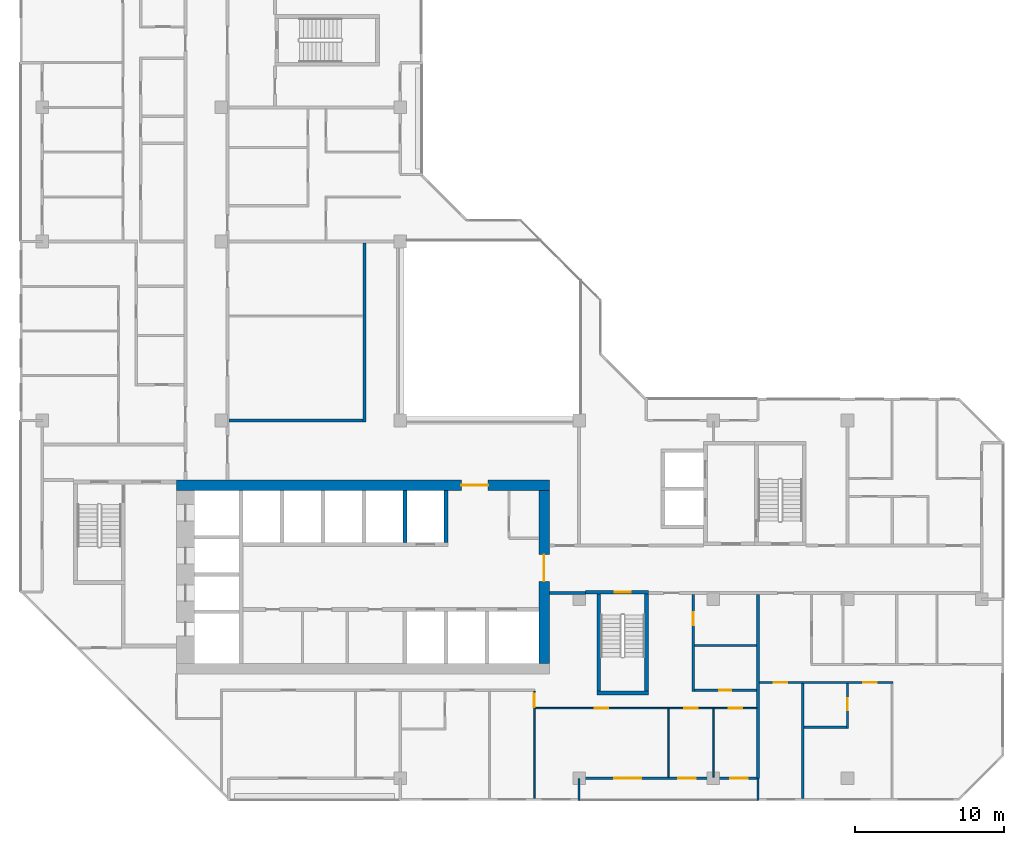
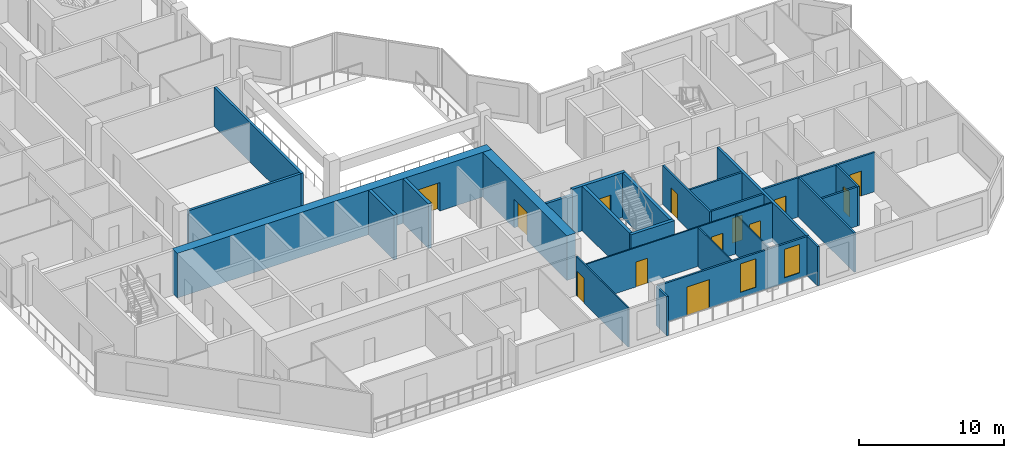
# One storey, part 6 of 15: 26 walls, 13 doors, 2 windows, 15 openings.
"""IFC4 building model written with IfcOpenShell, lengths in metres."""

from ifc_helpers import new_model, si_unit, direction, frame, frame_2d, origin, place, context, subcontext, project, spatial, rectangle, extrude, material, layer, layer_set, type_object, element, fill, save


model = new_model("IFC4")

# Units and contexts
model_context = context("Model", 3, precision=1e-05, world=origin(), true_north=direction((0.0, 1.0)))
body_context = subcontext(model_context, "Body", "Model", "MODEL_VIEW")
ifc_project = project(units=[si_unit("LENGTHUNIT", "METRE"), si_unit("AREAUNIT", "SQUARE_METRE"), si_unit("VOLUMEUNIT", "CUBIC_METRE"), si_unit("PLANEANGLEUNIT", "RADIAN"), si_unit("MASSUNIT", "GRAM", prefix="KILO")], contexts=[model_context])

# Site, building, storey
site_placement = place(None, origin())
site = spatial("IfcSite", under=ifc_project, at=site_placement, CompositionType="ELEMENT")
building_placement = place(site_placement, origin())
building = spatial("IfcBuilding", under=site, at=building_placement, Name="Chenar Terraces", CompositionType="ELEMENT")
storey_placement = place(building_placement, frame((0.0, 0.0, 252.89990234375)))
storey = spatial("IfcBuildingStorey", under=building, at=storey_placement, Name="L60", CompositionType="ELEMENT", Elevation=252.89990234375)

# Walls
ifc_material_1 = material(Name="Concrete C60/75", Category="concrete")
ifc_layer_1 = layer(ifc_material_1, 0.25)
ifc_layer_set_1 = layer_set([ifc_layer_1], Name="Concrete C60/75")
wall_type_1 = type_object("IfcWallType", Name="Core wall 250 Concrete C60/75", PredefinedType="SHEAR", material=ifc_layer_set_1)
for number, where, z_axis, x_axis, name in (
    (1, (24.324951171875, 15.800048828125, 0.0), (0.0, 0.0, 1.0), (0.0, 1.0, 0.0), "Core wall NS3 L60"),
    (2, (27.074951171875, 15.800048828125, 0.0), (0.0, 0.0, 1.0), (0.0, 1.0, 0.0), "Core wall NE L60"),
):
    element("IfcWall", number, at=place(storey_placement, frame(where, z_axis=z_axis, x_axis=x_axis)), inside=storey, type_object=wall_type_1, Name=name, PredefinedType="SHEAR", context=body_context, shape_type="SweptSolid", body=[
        extrude(rectangle(XDim=3.5, YDim=0.25, at=frame_2d((1.75, 0.0))), origin(), (0.0, 0.0, 1.0), 3.75),
    ])
wall_1_placement = place(storey_placement, frame((37.199951171875, 5.72509765625, 0.0), z_axis=(0.0, 0.0, 1.0), x_axis=(1.0, 0.0, 0.0)))
element("IfcWall", 3, at=wall_1_placement, inside=storey, type_object=wall_type_1, Name="Core wall ST2_S L60", PredefinedType="SHEAR", context=body_context, shape_type="SweptSolid", body=[
    extrude(rectangle(XDim=3.449951171875, YDim=0.25, at=frame_2d((1.72509765625, 0.0))), origin(), (0.0, 0.0, 1.0), 3.75),
])

# Wall, opening, door
wall_2_placement = place(storey_placement, frame((36.425048828125, 12.47509765625, 0.0), z_axis=(0.0, 0.0, 1.0), x_axis=(1.0, 0.0, 0.0)))
wall_2 = element("IfcWall", 4, at=wall_2_placement, inside=storey, type_object=wall_type_1, Name="Core wall ST2_N L60", PredefinedType="SHEAR", context=body_context, shape_type="SweptSolid", body=[
    extrude(rectangle(XDim=4.224853515625, YDim=0.25, at=frame_2d((2.1123046875, 0.0))), origin(), (0.0, 0.0, 1.0), 3.75),
])
opening_1_placement = place(wall_2_placement, frame((1.949951171875, 0.0, 0.0)))
opening_1 = element("IfcOpeningElement", 5, at=opening_1_placement, cuts=wall_2, Name="Opening DL60-C7", PredefinedType="OPENING", context=body_context, shape_type="SweptSolid", body=[
    extrude(rectangle(XDim=1.10009765625, YDim=2.199951171875, at=frame_2d((0.550048828125, 1.10009765625))), frame((0.0, 0.135009765625, 0.0), z_axis=(0.0, -1.0, 0.0), x_axis=(1.0, 0.0, 0.0)), (0.0, 0.0, 1.0), 0.27001953125),
])
ifc_material_2 = material(Name="Steel-framed fire-resisting door leaf", Category="steel")
door_type_1 = type_object("IfcDoorType", Name="Stair fire door FD60 1100 x 2200", OperationType="SINGLE_SWING_LEFT", PredefinedType="DOOR", material=ifc_material_2)
door_1_placement = place(opening_1_placement, frame((1.10009765625, 0.0, 0.0), z_axis=(0.0, 0.0, 1.0), x_axis=(-1.0, 0.0, 0.0)))
door_1 = element("IfcDoor", 6, at=door_1_placement, inside=storey, type_object=door_type_1, Name="Stair door DL60-C7", OperationType="SINGLE_SWING_LEFT", OverallHeight=2.199951171875, OverallWidth=1.10009765625, PredefinedType="DOOR", context=body_context, shape_type="SweptSolid", body=[
    extrude(rectangle(XDim=1.10009765625, YDim=2.199951171875, at=frame_2d((0.550048828125, 1.10009765625))), frame((0.0, 0.02490234375, 0.0), z_axis=(0.0, -1.0, 0.0), x_axis=(1.0, 0.0, 0.0)), (0.0, 0.0, 1.0), 0.050048828125),
])
fill(opening_1, door_1)

# Walls
for number, where, z_axis, x_axis, name in (
    (7, (37.324951171875, 5.85009765625, 0.0), (0.0, 0.0, 1.0), (0.0, 1.0, 0.0), "Core wall ST2_W L60"),
    (8, (40.52490234375, 5.85009765625, 0.0), (0.0, 0.0, 1.0), (0.0, 1.0, 0.0), "Core wall ST2_E L60"),
):
    element("IfcWall", number, at=place(storey_placement, frame(where, z_axis=z_axis, x_axis=x_axis)), inside=storey, type_object=wall_type_1, Name=name, PredefinedType="SHEAR", context=body_context, shape_type="SweptSolid", body=[
        extrude(rectangle(XDim=6.5, YDim=0.25, at=frame_2d((3.25, 0.0))), origin(), (0.0, 0.0, 1.0), 3.75),
    ])

# Wall, opening, door
ifc_material_3 = material(Name="Concrete C60/75", Category="concrete")
ifc_layer_2 = layer(ifc_material_3, 0.699951171875)
ifc_layer_set_2 = layer_set([ifc_layer_2], Name="Concrete C60/75")
wall_type_2 = type_object("IfcWallType", Name="Core wall 700 Concrete C60/75", PredefinedType="SHEAR", material=ifc_layer_set_2)
wall_3_placement = place(storey_placement, frame((9.0, 19.64990234375, 0.0), z_axis=(0.0, 0.0, 1.0), x_axis=(1.0, 0.0, 0.0)))
wall_3 = element("IfcWall", 9, at=wall_3_placement, inside=storey, type_object=wall_type_2, Name="Core wall N L60", PredefinedType="SHEAR", context=body_context, shape_type="SweptSolid", body=[
    extrude(rectangle(XDim=25.0, YDim=0.699951171875, at=frame_2d((12.5, 0.0))), origin(), (0.0, 0.0, 1.0), 3.75),
])
opening_2_placement = place(wall_3_placement, frame((19.10009765625, 0.0, 0.0)))
opening_2 = element("IfcOpeningElement", 10, at=opening_2_placement, cuts=wall_3, Name="Opening DL60-C2", PredefinedType="OPENING", context=body_context, shape_type="SweptSolid", body=[
    extrude(rectangle(XDim=1.800048828125, YDim=2.39990234375, at=frame_2d((0.89990234375, 1.199951171875))), frame((0.0, 0.35986328125, 0.0), z_axis=(0.0, -1.0, 0.0), x_axis=(1.0, 0.0, 0.0)), (0.0, 0.0, 1.0), 0.719970703125),
])
ifc_material_4 = material(Name="Steel-framed fire-resisting door leaf", Category="steel")
door_type_2 = type_object("IfcDoorType", Name="Core entrance double fire door FD60 1800 x 2400", OperationType="DOUBLE_DOOR_SINGLE_SWING", PredefinedType="DOOR", material=ifc_material_4)
door_2_placement = place(opening_2_placement, frame((1.800048828125, 0.0, 0.0), z_axis=(0.0, 0.0, 1.0), x_axis=(-1.0, 0.0, 0.0)))
door_2 = element("IfcDoor", 11, at=door_2_placement, inside=storey, type_object=door_type_2, Name="Core door DL60-C2", OperationType="DOUBLE_DOOR_SINGLE_SWING", OverallHeight=2.39990234375, OverallWidth=1.800048828125, PredefinedType="DOOR", context=body_context, shape_type="SweptSolid", body=[
    extrude(rectangle(XDim=1.800048828125, YDim=2.39990234375, at=frame_2d((0.89990234375, 1.199951171875))), frame((0.0, 0.02490234375, 0.0), z_axis=(0.0, -1.0, 0.0), x_axis=(1.0, 0.0, 0.0)), (0.0, 0.0, 1.0), 0.050048828125),
])
fill(opening_2, door_2)

wall_4_placement = place(storey_placement, frame((33.64990234375, 7.699951171875, 0.0), z_axis=(0.0, 0.0, 1.0), x_axis=(0.0, 1.0, 0.0)))
wall_4 = element("IfcWall", 12, at=wall_4_placement, inside=storey, type_object=wall_type_2, Name="Core wall E L60", PredefinedType="SHEAR", context=body_context, shape_type="SweptSolid", body=[
    extrude(rectangle(XDim=11.60009765625, YDim=0.699951171875, at=frame_2d((5.800048828125, 0.0))), origin(), (0.0, 0.0, 1.0), 3.75),
])
opening_3_placement = place(wall_4_placement, frame((5.5, 0.0, 0.0)))
opening_3 = element("IfcOpeningElement", 13, at=opening_3_placement, cuts=wall_4, Name="Opening DL60-C1", PredefinedType="OPENING", context=body_context, shape_type="SweptSolid", body=[
    extrude(rectangle(XDim=1.800048828125, YDim=2.39990234375, at=frame_2d((0.89990234375, 1.199951171875))), frame((0.0, 0.35986328125, 0.0), z_axis=(0.0, -1.0, 0.0), x_axis=(1.0, 0.0, 0.0)), (0.0, 0.0, 1.0), 0.719970703125),
])
door_3_placement = place(opening_3_placement, origin())
door_3 = element("IfcDoor", 14, at=door_3_placement, inside=storey, type_object=door_type_2, Name="Core door DL60-C1", OperationType="DOUBLE_DOOR_SINGLE_SWING", OverallHeight=2.39990234375, OverallWidth=1.800048828125, PredefinedType="DOOR", context=body_context, shape_type="SweptSolid", body=[
    extrude(rectangle(XDim=1.800048828125, YDim=2.39990234375, at=frame_2d((0.89990234375, 1.199951171875))), frame((0.0, 0.02490234375, 0.0), z_axis=(0.0, -1.0, 0.0), x_axis=(1.0, 0.0, 0.0)), (0.0, 0.0, 1.0), 0.050048828125),
])
fill(opening_3, door_3)

# Walls
ifc_material_5 = material(Name="Gypsum board on steel studs with fire boards", Category="steel")
ifc_layer_3 = layer(ifc_material_5, 0.199951171875)
ifc_layer_set_3 = layer_set([ifc_layer_3], Name="Gypsum board on steel studs with fire boards")
wall_type_3 = type_object("IfcWallType", Name="Corridor wall 200", PredefinedType="PARTITIONING", material=ifc_layer_set_3)
wall_5_placement = place(storey_placement, frame((12.52490234375, 24.0, 0.0), z_axis=(0.0, 0.0, 1.0), x_axis=(1.0, 0.0, 0.0)))
element("IfcWall", 15, at=wall_5_placement, inside=storey, type_object=wall_type_3, Name="Partition L60-037", PredefinedType="PARTITIONING", context=body_context, shape_type="SweptSolid", body=[
    extrude(rectangle(XDim=8.97509765625, YDim=0.199951171875, at=frame_2d((4.487548828125, 0.0))), origin(), (0.0, 0.0, 1.0), 3.300048828125),
])
wall_6_placement = place(storey_placement, frame((21.60009765625, 23.89990234375, 0.0), z_axis=(0.0, 0.0, 1.0), x_axis=(0.0, 1.0, 0.0)))
element("IfcWall", 16, at=wall_6_placement, inside=storey, type_object=wall_type_3, Name="Partition L60-057", PredefinedType="PARTITIONING", context=body_context, shape_type="SweptSolid", body=[
    extrude(rectangle(XDim=12.0, YDim=0.199951171875, at=frame_2d((6.0, 0.0))), origin(), (0.0, 0.0, 1.0), 3.300048828125),
])
wall_7_placement = place(storey_placement, frame((34.0, 12.425048828125, 0.0), z_axis=(0.0, 0.0, 1.0), x_axis=(1.0, 0.0, 0.0)))
element("IfcWall", 17, at=wall_7_placement, inside=storey, type_object=wall_type_3, Name="Partition L60-064", PredefinedType="PARTITIONING", context=body_context, shape_type="SweptSolid", body=[
    extrude(rectangle(XDim=2.426025390625, YDim=0.199951171875, at=frame_2d((1.212890625, 0.0))), origin(), (0.0, 0.0, 1.0), 3.300048828125),
])

# Wall, openings, windows, door
ifc_material_6 = material(Name="Aluminium framed glazing", Category="aluminium")
ifc_layer_4 = layer(ifc_material_6, 0.14990234375)
ifc_layer_set_4 = layer_set([ifc_layer_4], Name="Aluminium framed glazing")
wall_type_4 = type_object("IfcWallType", Name="Glazed loggia back wall 150", PredefinedType="SOLIDWALL", material=ifc_layer_set_4)
wall_8_placement = place(storey_placement, frame((36.074951171875, 0.0, 0.0), z_axis=(0.0, 0.0, 1.0), x_axis=(1.0, 0.0, 0.0)))
wall_8 = element("IfcWall", 18, at=wall_8_placement, inside=storey, type_object=wall_type_4, Name="Glazed loggia back wall", PredefinedType="SOLIDWALL", context=body_context, shape_type="SweptSolid", body=[
    extrude(rectangle(XDim=11.85009765625, YDim=0.14990234375, at=frame_2d((5.925048828125, 0.0))), origin(), (0.0, 0.0, 1.0), 3.300048828125),
])
opening_4_placement = place(wall_8_placement, frame((2.28759765625, 0.0, 0.0)))
opening_4 = element("IfcOpeningElement", 19, at=opening_4_placement, cuts=wall_8, Name="Opening DL60-G6", PredefinedType="OPENING", context=body_context, shape_type="SweptSolid", body=[
    extrude(rectangle(XDim=1.800048828125, YDim=2.39990234375, at=frame_2d((0.89990234375, 1.199951171875))), frame((0.0, 0.0849609375, 0.0), z_axis=(0.0, -1.0, 0.0), x_axis=(1.0, 0.0, 0.0)), (0.0, 0.0, 1.0), 0.169921875),
])
opening_5_placement = place(wall_8_placement, frame((6.5625, 0.0, 0.449951171875)))
opening_5 = element("IfcOpeningElement", 20, at=opening_5_placement, cuts=wall_8, Name="Opening W120x240", PredefinedType="OPENING", context=body_context, shape_type="SweptSolid", body=[
    extrude(rectangle(XDim=1.199951171875, YDim=2.39990234375, at=frame_2d((0.60009765625, 1.199951171875))), frame((0.0, 0.0849609375, 0.0), z_axis=(0.0, -1.0, 0.0), x_axis=(1.0, 0.0, 0.0)), (0.0, 0.0, 1.0), 0.169921875),
])
opening_6_placement = place(wall_8_placement, frame((10.050048828125, 0.0, 0.449951171875)))
opening_6 = element("IfcOpeningElement", 21, at=opening_6_placement, cuts=wall_8, Name="Opening W120x240", PredefinedType="OPENING", context=body_context, shape_type="SweptSolid", body=[
    extrude(rectangle(XDim=1.199951171875, YDim=2.39990234375, at=frame_2d((0.60009765625, 1.199951171875))), frame((0.0, 0.0849609375, 0.0), z_axis=(0.0, -1.0, 0.0), x_axis=(1.0, 0.0, 0.0)), (0.0, 0.0, 1.0), 0.169921875),
])
ifc_material_7 = material(Name="Low emissivity double glazing, aluminium frame", Category="aluminium")
window_type = type_object("IfcWindowType", Name="Fixed light 1200 x 2400", PartitioningType="SINGLE_PANEL", PredefinedType="WINDOW", material=ifc_material_7)
window_1_placement = place(opening_5_placement, origin())
window_1 = element("IfcWindow", 22, at=window_1_placement, inside=storey, type_object=window_type, Name="Window", OverallHeight=2.39990234375, OverallWidth=1.199951171875, PartitioningType="SINGLE_PANEL", PredefinedType="WINDOW", context=body_context, shape_type="SweptSolid", body=[
    extrude(rectangle(XDim=1.199951171875, YDim=2.39990234375, at=frame_2d((0.60009765625, 1.199951171875))), frame((0.0, 0.030029296875, 0.0), z_axis=(0.0, -1.0, 0.0), x_axis=(1.0, 0.0, 0.0)), (0.0, 0.0, 1.0), 0.06005859375),
])
fill(opening_5, window_1)
window_2_placement = place(opening_6_placement, origin())
window_2 = element("IfcWindow", 23, at=window_2_placement, inside=storey, type_object=window_type, Name="Window", OverallHeight=2.39990234375, OverallWidth=1.199951171875, PartitioningType="SINGLE_PANEL", PredefinedType="WINDOW", context=body_context, shape_type="SweptSolid", body=[
    extrude(rectangle(XDim=1.199951171875, YDim=2.39990234375, at=frame_2d((0.60009765625, 1.199951171875))), frame((0.0, 0.030029296875, 0.0), z_axis=(0.0, -1.0, 0.0), x_axis=(1.0, 0.0, 0.0)), (0.0, 0.0, 1.0), 0.06005859375),
])
fill(opening_6, window_2)
ifc_material_8 = material(Name="Low emissivity double glazing, aluminium frame", Category="aluminium")
door_type_3 = type_object("IfcDoorType", Name="Loggia glazed double door 1800 x 2400", OperationType="DOUBLE_DOOR_SINGLE_SWING", PredefinedType="DOOR", material=ifc_material_8)
door_4_placement = place(opening_4_placement, frame((1.800048828125, 0.0, 0.0), z_axis=(0.0, 0.0, 1.0), x_axis=(-1.0, 0.0, 0.0)))
door_4 = element("IfcDoor", 24, at=door_4_placement, inside=storey, type_object=door_type_3, Name="Loggia glazed door", OperationType="DOUBLE_DOOR_SINGLE_SWING", OverallHeight=2.39990234375, OverallWidth=1.800048828125, PredefinedType="DOOR", context=body_context, shape_type="SweptSolid", body=[
    extrude(rectangle(XDim=1.800048828125, YDim=2.39990234375, at=frame_2d((0.89990234375, 1.199951171875))), frame((0.0, 0.02490234375, 0.0), z_axis=(0.0, -1.0, 0.0), x_axis=(1.0, 0.0, 0.0)), (0.0, 0.0, 1.0), 0.050048828125),
])
fill(opening_4, door_4)

# Wall, opening, door
ifc_material_9 = material(Name="Gypsum board on steel studs", Category="steel")
ifc_layer_5 = layer(ifc_material_9, 0.10009765625)
ifc_layer_set_5 = layer_set([ifc_layer_5], Name="Gypsum board on steel studs")
wall_type_5 = type_object("IfcWallType", Name="Gypsum partition 100", PredefinedType="PARTITIONING", material=ifc_layer_set_5)
wall_9_placement = place(storey_placement, frame((33.0, -1.35009765625, 0.0), z_axis=(0.0, 0.0, 1.0), x_axis=(0.0, 1.0, 0.0)))
wall_9 = element("IfcWall", 25, at=wall_9_placement, inside=storey, type_object=wall_type_5, Name="Partition L60-062", PredefinedType="PARTITIONING", context=body_context, shape_type="SweptSolid", body=[
    extrude(rectangle(XDim=7.175048828125, YDim=0.10009765625, at=frame_2d((3.58740234375, 0.0))), origin(), (0.0, 0.0, 1.0), 3.300048828125),
])
opening_7_placement = place(wall_9_placement, frame((6.125, 0.0, 0.0)))
opening_7 = element("IfcOpeningElement", 26, at=opening_7_placement, cuts=wall_9, Name="Opening DL60-49", PredefinedType="OPENING", context=body_context, shape_type="SweptSolid", body=[
    extrude(rectangle(XDim=0.89990234375, YDim=2.10009765625, at=frame_2d((0.449951171875, 1.050048828125))), frame((0.0, 0.06005859375, 0.0), z_axis=(0.0, -1.0, 0.0), x_axis=(1.0, 0.0, 0.0)), (0.0, 0.0, 1.0), 0.1201171875),
])
ifc_material_10 = material(Name="Veneered timber door leaf", Category="wood")
door_type_4 = type_object("IfcDoorType", Name="Door 900 x 2100", OperationType="SINGLE_SWING_LEFT", PredefinedType="DOOR", material=ifc_material_10)
door_5_placement = place(opening_7_placement, origin())
door_5 = element("IfcDoor", 27, at=door_5_placement, inside=storey, type_object=door_type_4, Name="Door DL60-49", OperationType="SINGLE_SWING_RIGHT", OverallHeight=2.10009765625, OverallWidth=0.89990234375, PredefinedType="DOOR", context=body_context, shape_type="SweptSolid", body=[
    extrude(rectangle(XDim=0.89990234375, YDim=2.10009765625, at=frame_2d((0.449951171875, 1.050048828125))), frame((0.0, 0.02490234375, 0.0), z_axis=(0.0, -1.0, 0.0), x_axis=(1.0, 0.0, 0.0)), (0.0, 0.0, 1.0), 0.050048828125),
])
fill(opening_7, door_5)

# Wall, openings, doors
wall_10_placement = place(storey_placement, frame((33.050048828125, 4.699951171875, 0.0), z_axis=(0.0, 0.0, 1.0), x_axis=(1.0, 0.0, 0.0)))
wall_10 = element("IfcWall", 28, at=wall_10_placement, inside=storey, type_object=wall_type_5, Name="Partition L60-063", PredefinedType="PARTITIONING", context=body_context, shape_type="SweptSolid", body=[
    extrude(rectangle(XDim=14.849853515625, YDim=0.10009765625, at=frame_2d((7.4248046875, 0.0))), origin(), (0.0, 0.0, 1.0), 3.300048828125),
])
opening_8_placement = place(wall_10_placement, frame((10.0, 0.0, 0.0)))
opening_8 = element("IfcOpeningElement", 29, at=opening_8_placement, cuts=wall_10, Name="Opening DL60-50", PredefinedType="OPENING", context=body_context, shape_type="SweptSolid", body=[
    extrude(rectangle(XDim=0.89990234375, YDim=2.10009765625, at=frame_2d((0.449951171875, 1.050048828125))), frame((0.0, 0.06005859375, 0.0), z_axis=(0.0, -1.0, 0.0), x_axis=(1.0, 0.0, 0.0)), (0.0, 0.0, 1.0), 0.1201171875),
])
opening_9_placement = place(wall_10_placement, frame((13.0, 0.0, 0.0)))
opening_9 = element("IfcOpeningElement", 30, at=opening_9_placement, cuts=wall_10, Name="Opening DL60-51", PredefinedType="OPENING", context=body_context, shape_type="SweptSolid", body=[
    extrude(rectangle(XDim=0.89990234375, YDim=2.10009765625, at=frame_2d((0.449951171875, 1.050048828125))), frame((0.0, 0.06005859375, 0.0), z_axis=(0.0, -1.0, 0.0), x_axis=(1.0, 0.0, 0.0)), (0.0, 0.0, 1.0), 0.1201171875),
])
opening_10_placement = place(wall_10_placement, frame((4.0, 0.0, 0.0)))
opening_10 = element("IfcOpeningElement", 31, at=opening_10_placement, cuts=wall_10, Name="Opening DL60-59", PredefinedType="OPENING", context=body_context, shape_type="SweptSolid", body=[
    extrude(rectangle(XDim=0.89990234375, YDim=2.10009765625, at=frame_2d((0.449951171875, 1.050048828125))), frame((0.0, 0.06005859375, 0.0), z_axis=(0.0, -1.0, 0.0), x_axis=(1.0, 0.0, 0.0)), (0.0, 0.0, 1.0), 0.1201171875),
])
door_6_placement = place(opening_8_placement, frame((0.89990234375, 0.0, 0.0), z_axis=(0.0, 0.0, 1.0), x_axis=(-1.0, 0.0, 0.0)))
door_6 = element("IfcDoor", 32, at=door_6_placement, inside=storey, type_object=door_type_4, Name="Door DL60-50", OperationType="SINGLE_SWING_LEFT", OverallHeight=2.10009765625, OverallWidth=0.89990234375, PredefinedType="DOOR", context=body_context, shape_type="SweptSolid", body=[
    extrude(rectangle(XDim=0.89990234375, YDim=2.10009765625, at=frame_2d((0.449951171875, 1.050048828125))), frame((0.0, 0.02490234375, 0.0), z_axis=(0.0, -1.0, 0.0), x_axis=(1.0, 0.0, 0.0)), (0.0, 0.0, 1.0), 0.050048828125),
])
fill(opening_8, door_6)
door_7_placement = place(opening_9_placement, frame((0.89990234375, 0.0, 0.0), z_axis=(0.0, 0.0, 1.0), x_axis=(-1.0, 0.0, 0.0)))
door_7 = element("IfcDoor", 33, at=door_7_placement, inside=storey, type_object=door_type_4, Name="Door DL60-51", OperationType="SINGLE_SWING_LEFT", OverallHeight=2.10009765625, OverallWidth=0.89990234375, PredefinedType="DOOR", context=body_context, shape_type="SweptSolid", body=[
    extrude(rectangle(XDim=0.89990234375, YDim=2.10009765625, at=frame_2d((0.449951171875, 1.050048828125))), frame((0.0, 0.02490234375, 0.0), z_axis=(0.0, -1.0, 0.0), x_axis=(1.0, 0.0, 0.0)), (0.0, 0.0, 1.0), 0.050048828125),
])
fill(opening_9, door_7)
door_8_placement = place(opening_10_placement, frame((0.89990234375, 0.0, 0.0), z_axis=(0.0, 0.0, 1.0), x_axis=(-1.0, 0.0, 0.0)))
door_8 = element("IfcDoor", 34, at=door_8_placement, inside=storey, type_object=door_type_4, Name="Door DL60-59", OperationType="SINGLE_SWING_LEFT", OverallHeight=2.10009765625, OverallWidth=0.89990234375, PredefinedType="DOOR", context=body_context, shape_type="SweptSolid", body=[
    extrude(rectangle(XDim=0.89990234375, YDim=2.10009765625, at=frame_2d((0.449951171875, 1.050048828125))), frame((0.0, 0.02490234375, 0.0), z_axis=(0.0, -1.0, 0.0), x_axis=(1.0, 0.0, 0.0)), (0.0, 0.0, 1.0), 0.050048828125),
])
fill(opening_10, door_8)

# Walls
for number, where, z_axis, x_axis, name in (
    (35, (42.0, 0.073974609375, 0.0), (0.0, 0.0, 1.0), (0.0, 1.0, 0.0), "Partition L60-068"),
    (36, (45.0, 0.073974609375, 0.0), (0.0, 0.0, 1.0), (0.0, 1.0, 0.0), "Partition L60-072"),
):
    element("IfcWall", number, at=place(storey_placement, frame(where, z_axis=z_axis, x_axis=x_axis)), inside=storey, type_object=wall_type_5, Name=name, PredefinedType="PARTITIONING", context=body_context, shape_type="SweptSolid", body=[
        extrude(rectangle(XDim=4.575927734375, YDim=0.10009765625, at=frame_2d((2.2880859375, 0.0))), origin(), (0.0, 0.0, 1.0), 3.300048828125),
    ])
ifc_material_11 = material(Name="Terracotta cladding on insulated backing", Category="masonry")
ifc_layer_6 = layer(ifc_material_11, 0.14990234375)
ifc_layer_set_6 = layer_set([ifc_layer_6], Name="Terracotta cladding on insulated backing")
wall_type_6 = type_object("IfcWallType", Name="Loggia return wall 150", PredefinedType="SOLIDWALL", material=ifc_layer_set_6)
for number, where, z_axis, x_axis, name in (
    (37, (36.0, -1.5, 0.0), (0.0, 0.0, 1.0), (0.0, 1.0, 0.0), "Loggia return wall"),
    (38, (48.0, -1.5, 0.0), (0.0, 0.0, 1.0), (0.0, 1.0, 0.0), "Loggia return wall"),
):
    element("IfcWall", number, at=place(storey_placement, frame(where, z_axis=z_axis, x_axis=x_axis)), inside=storey, type_object=wall_type_6, Name=name, PredefinedType="SOLIDWALL", context=body_context, shape_type="SweptSolid", body=[
        extrude(rectangle(XDim=1.5, YDim=0.14990234375, at=frame_2d((0.75, 0.0))), origin(), (0.0, 0.0, 1.0), 3.300048828125),
    ])
ifc_material_12 = material(Name="Twin gypsum board on steel studs with mineral wool", Category="steel")
ifc_layer_7 = layer(ifc_material_12, 0.199951171875)
ifc_layer_set_7 = layer_set([ifc_layer_7], Name="Twin gypsum board on steel studs with mineral wool")
wall_type_7 = type_object("IfcWallType", Name="Unit demising wall 200", PredefinedType="PARTITIONING", material=ifc_layer_set_7)
wall_11_placement = place(storey_placement, frame((48.0, 0.0, 0.0), z_axis=(0.0, 0.0, 1.0), x_axis=(0.0, 1.0, 0.0)))
element("IfcWall", 39, at=wall_11_placement, inside=storey, type_object=wall_type_7, Name="Partition L60-074", PredefinedType="PARTITIONING", context=body_context, shape_type="SweptSolid", body=[
    extrude(rectangle(XDim=12.324951171875, YDim=0.199951171875, at=frame_2d((6.16259765625, 0.0))), origin(), (0.0, 0.0, 1.0), 3.300048828125),
])

# Wall, opening, door
ifc_material_13 = material(Name="Moisture-resistant gypsum board on steel studs", Category="steel")
ifc_layer_8 = layer(ifc_material_13, 0.14990234375)
ifc_layer_set_8 = layer_set([ifc_layer_8], Name="Moisture-resistant gypsum board on steel studs")
wall_type_8 = type_object("IfcWallType", Name="Wet-room partition 150", PredefinedType="PARTITIONING", material=ifc_layer_set_8)
wall_12_placement = place(storey_placement, frame((43.64990234375, 5.824951171875, 0.0), z_axis=(0.0, 0.0, 1.0), x_axis=(0.0, 1.0, 0.0)))
wall_12 = element("IfcWall", 40, at=wall_12_placement, inside=storey, type_object=wall_type_8, Name="Partition L60-069", PredefinedType="PARTITIONING", context=body_context, shape_type="SweptSolid", body=[
    extrude(rectangle(XDim=6.5, YDim=0.14990234375, at=frame_2d((3.25, 0.0))), origin(), (0.0, 0.0, 1.0), 3.300048828125),
])
opening_11_placement = place(wall_12_placement, frame((4.425048828125, 0.0, 0.0)))
opening_11 = element("IfcOpeningElement", 41, at=opening_11_placement, cuts=wall_12, Name="Opening DL60-57", PredefinedType="OPENING", context=body_context, shape_type="SweptSolid", body=[
    extrude(rectangle(XDim=0.89990234375, YDim=2.10009765625, at=frame_2d((0.449951171875, 1.050048828125))), frame((0.0, 0.0849609375, 0.0), z_axis=(0.0, -1.0, 0.0), x_axis=(1.0, 0.0, 0.0)), (0.0, 0.0, 1.0), 0.169921875),
])
door_9_placement = place(opening_11_placement, frame((0.89990234375, 0.0, 0.0), z_axis=(0.0, 0.0, 1.0), x_axis=(-1.0, 0.0, 0.0)))
door_9 = element("IfcDoor", 42, at=door_9_placement, inside=storey, type_object=door_type_4, Name="Door DL60-57", OperationType="SINGLE_SWING_LEFT", OverallHeight=2.10009765625, OverallWidth=0.89990234375, PredefinedType="DOOR", context=body_context, shape_type="SweptSolid", body=[
    extrude(rectangle(XDim=0.89990234375, YDim=2.10009765625, at=frame_2d((0.449951171875, 1.050048828125))), frame((0.0, 0.02490234375, 0.0), z_axis=(0.0, -1.0, 0.0), x_axis=(1.0, 0.0, 0.0)), (0.0, 0.0, 1.0), 0.050048828125),
])
fill(opening_11, door_9)

wall_13_placement = place(storey_placement, frame((43.72509765625, 5.89990234375, 0.0), z_axis=(0.0, 0.0, 1.0), x_axis=(1.0, 0.0, 0.0)))
wall_13 = element("IfcWall", 43, at=wall_13_placement, inside=storey, type_object=wall_type_8, Name="Partition L60-070", PredefinedType="PARTITIONING", context=body_context, shape_type="SweptSolid", body=[
    extrude(rectangle(XDim=4.1748046875, YDim=0.14990234375, at=frame_2d((2.08740234375, 0.0))), origin(), (0.0, 0.0, 1.0), 3.300048828125),
])
opening_12_placement = place(wall_13_placement, frame((1.675048828125, 0.0, 0.0)))
opening_12 = element("IfcOpeningElement", 44, at=opening_12_placement, cuts=wall_13, Name="Opening DL60-47", PredefinedType="OPENING", context=body_context, shape_type="SweptSolid", body=[
    extrude(rectangle(XDim=0.800048828125, YDim=2.10009765625, at=frame_2d((0.39990234375, 1.050048828125))), frame((0.0, 0.0849609375, 0.0), z_axis=(0.0, -1.0, 0.0), x_axis=(1.0, 0.0, 0.0)), (0.0, 0.0, 1.0), 0.169921875),
])
ifc_material_14 = material(Name="Veneered timber door leaf", Category="wood")
door_type_5 = type_object("IfcDoorType", Name="Door 800 x 2100", OperationType="SINGLE_SWING_LEFT", PredefinedType="DOOR", material=ifc_material_14)
door_10_placement = place(opening_12_placement, origin())
door_10 = element("IfcDoor", 45, at=door_10_placement, inside=storey, type_object=door_type_5, Name="Door DL60-47", OperationType="SINGLE_SWING_LEFT", OverallHeight=2.10009765625, OverallWidth=0.800048828125, PredefinedType="DOOR", context=body_context, shape_type="SweptSolid", body=[
    extrude(rectangle(XDim=0.800048828125, YDim=2.10009765625, at=frame_2d((0.39990234375, 1.050048828125))), frame((0.0, 0.02490234375, 0.0), z_axis=(0.0, -1.0, 0.0), x_axis=(1.0, 0.0, 0.0)), (0.0, 0.0, 1.0), 0.050048828125),
])
fill(opening_12, door_10)

# Wall
wall_14_placement = place(storey_placement, frame((43.72509765625, 8.89990234375, 0.0), z_axis=(0.0, 0.0, 1.0), x_axis=(1.0, 0.0, 0.0)))
element("IfcWall", 46, at=wall_14_placement, inside=storey, type_object=wall_type_8, Name="Partition L60-071", PredefinedType="PARTITIONING", context=body_context, shape_type="SweptSolid", body=[
    extrude(rectangle(XDim=4.1748046875, YDim=0.14990234375, at=frame_2d((2.08740234375, 0.0))), origin(), (0.0, 0.0, 1.0), 3.300048828125),
])

# Wall, openings, doors
wall_15_placement = place(storey_placement, frame((48.10009765625, 6.425048828125, 0.0), z_axis=(0.0, 0.0, 1.0), x_axis=(1.0, 0.0, 0.0)))
wall_15 = element("IfcWall", 47, at=wall_15_placement, inside=storey, type_object=wall_type_8, Name="Partition L60-075", PredefinedType="PARTITIONING", context=body_context, shape_type="SweptSolid", body=[
    extrude(rectangle(XDim=8.949951171875, YDim=0.14990234375, at=frame_2d((4.47509765625, 0.0))), origin(), (0.0, 0.0, 1.0), 3.300048828125),
])
opening_13_placement = place(wall_15_placement, frame((0.949951171875, 0.0, 0.0)))
opening_13 = element("IfcOpeningElement", 48, at=opening_13_placement, cuts=wall_15, Name="Opening DL60-10", PredefinedType="OPENING", context=body_context, shape_type="SweptSolid", body=[
    extrude(rectangle(XDim=0.89990234375, YDim=2.10009765625, at=frame_2d((0.449951171875, 1.050048828125))), frame((0.0, 0.0849609375, 0.0), z_axis=(0.0, -1.0, 0.0), x_axis=(1.0, 0.0, 0.0)), (0.0, 0.0, 1.0), 0.169921875),
])
opening_14_placement = place(wall_15_placement, frame((6.949951171875, 0.0, 0.0)))
opening_14 = element("IfcOpeningElement", 49, at=opening_14_placement, cuts=wall_15, Name="Opening DL60-11", PredefinedType="OPENING", context=body_context, shape_type="SweptSolid", body=[
    extrude(rectangle(XDim=0.89990234375, YDim=2.10009765625, at=frame_2d((0.449951171875, 1.050048828125))), frame((0.0, 0.0849609375, 0.0), z_axis=(0.0, -1.0, 0.0), x_axis=(1.0, 0.0, 0.0)), (0.0, 0.0, 1.0), 0.169921875),
])
door_11_placement = place(opening_13_placement, frame((0.89990234375, 0.0, 0.0), z_axis=(0.0, 0.0, 1.0), x_axis=(-1.0, 0.0, 0.0)))
door_11 = element("IfcDoor", 50, at=door_11_placement, inside=storey, type_object=door_type_4, Name="Door DL60-10", OperationType="SINGLE_SWING_LEFT", OverallHeight=2.10009765625, OverallWidth=0.89990234375, PredefinedType="DOOR", context=body_context, shape_type="SweptSolid", body=[
    extrude(rectangle(XDim=0.89990234375, YDim=2.10009765625, at=frame_2d((0.449951171875, 1.050048828125))), frame((0.0, 0.02490234375, 0.0), z_axis=(0.0, -1.0, 0.0), x_axis=(1.0, 0.0, 0.0)), (0.0, 0.0, 1.0), 0.050048828125),
])
fill(opening_13, door_11)
door_12_placement = place(opening_14_placement, frame((0.89990234375, 0.0, 0.0), z_axis=(0.0, 0.0, 1.0), x_axis=(-1.0, 0.0, 0.0)))
door_12 = element("IfcDoor", 51, at=door_12_placement, inside=storey, type_object=door_type_4, Name="Door DL60-11", OperationType="SINGLE_SWING_LEFT", OverallHeight=2.10009765625, OverallWidth=0.89990234375, PredefinedType="DOOR", context=body_context, shape_type="SweptSolid", body=[
    extrude(rectangle(XDim=0.89990234375, YDim=2.10009765625, at=frame_2d((0.449951171875, 1.050048828125))), frame((0.0, 0.02490234375, 0.0), z_axis=(0.0, -1.0, 0.0), x_axis=(1.0, 0.0, 0.0)), (0.0, 0.0, 1.0), 0.050048828125),
])
fill(opening_14, door_12)

# Walls
wall_16_placement = place(storey_placement, frame((51.0, -1.35107421875, 0.0), z_axis=(0.0, 0.0, 1.0), x_axis=(0.0, 1.0, 0.0)))
element("IfcWall", 52, at=wall_16_placement, inside=storey, type_object=wall_type_8, Name="Partition L60-076", PredefinedType="PARTITIONING", context=body_context, shape_type="SweptSolid", body=[
    extrude(rectangle(XDim=7.701171875, YDim=0.14990234375, at=frame_2d((3.8505859375, 0.0))), origin(), (0.0, 0.0, 1.0), 3.300048828125),
])
wall_17_placement = place(storey_placement, frame((51.074951171875, 3.425048828125, 0.0), z_axis=(0.0, 0.0, 1.0), x_axis=(1.0, 0.0, 0.0)))
element("IfcWall", 53, at=wall_17_placement, inside=storey, type_object=wall_type_8, Name="Partition L60-077", PredefinedType="PARTITIONING", context=body_context, shape_type="SweptSolid", body=[
    extrude(rectangle(XDim=2.85009765625, YDim=0.14990234375, at=frame_2d((1.425048828125, 0.0))), origin(), (0.0, 0.0, 1.0), 3.300048828125),
])

# Wall, opening, door
wall_18_placement = place(storey_placement, frame((54.0, 3.35009765625, 0.0), z_axis=(0.0, 0.0, 1.0), x_axis=(0.0, 1.0, 0.0)))
wall_18 = element("IfcWall", 54, at=wall_18_placement, inside=storey, type_object=wall_type_8, Name="Partition L60-082", PredefinedType="PARTITIONING", context=body_context, shape_type="SweptSolid", body=[
    extrude(rectangle(XDim=3.0, YDim=0.14990234375, at=frame_2d((1.5, 0.0))), origin(), (0.0, 0.0, 1.0), 3.300048828125),
])
opening_15_placement = place(wall_18_placement, frame((1.22509765625, 0.0, 0.0)))
opening_15 = element("IfcOpeningElement", 55, at=opening_15_placement, cuts=wall_18, Name="Opening DL60-12", PredefinedType="OPENING", context=body_context, shape_type="SweptSolid", body=[
    extrude(rectangle(XDim=0.800048828125, YDim=2.10009765625, at=frame_2d((0.39990234375, 1.050048828125))), frame((0.0, 0.0849609375, 0.0), z_axis=(0.0, -1.0, 0.0), x_axis=(1.0, 0.0, 0.0)), (0.0, 0.0, 1.0), 0.169921875),
])
door_13_placement = place(opening_15_placement, origin())
door_13 = element("IfcDoor", 56, at=door_13_placement, inside=storey, type_object=door_type_5, Name="Door DL60-12", OperationType="SINGLE_SWING_RIGHT", OverallHeight=2.10009765625, OverallWidth=0.800048828125, PredefinedType="DOOR", context=body_context, shape_type="SweptSolid", body=[
    extrude(rectangle(XDim=0.800048828125, YDim=2.10009765625, at=frame_2d((0.39990234375, 1.050048828125))), frame((0.0, 0.02490234375, 0.0), z_axis=(0.0, -1.0, 0.0), x_axis=(1.0, 0.0, 0.0)), (0.0, 0.0, 1.0), 0.050048828125),
])
fill(opening_15, door_13)

save(model, "model.ifc")
